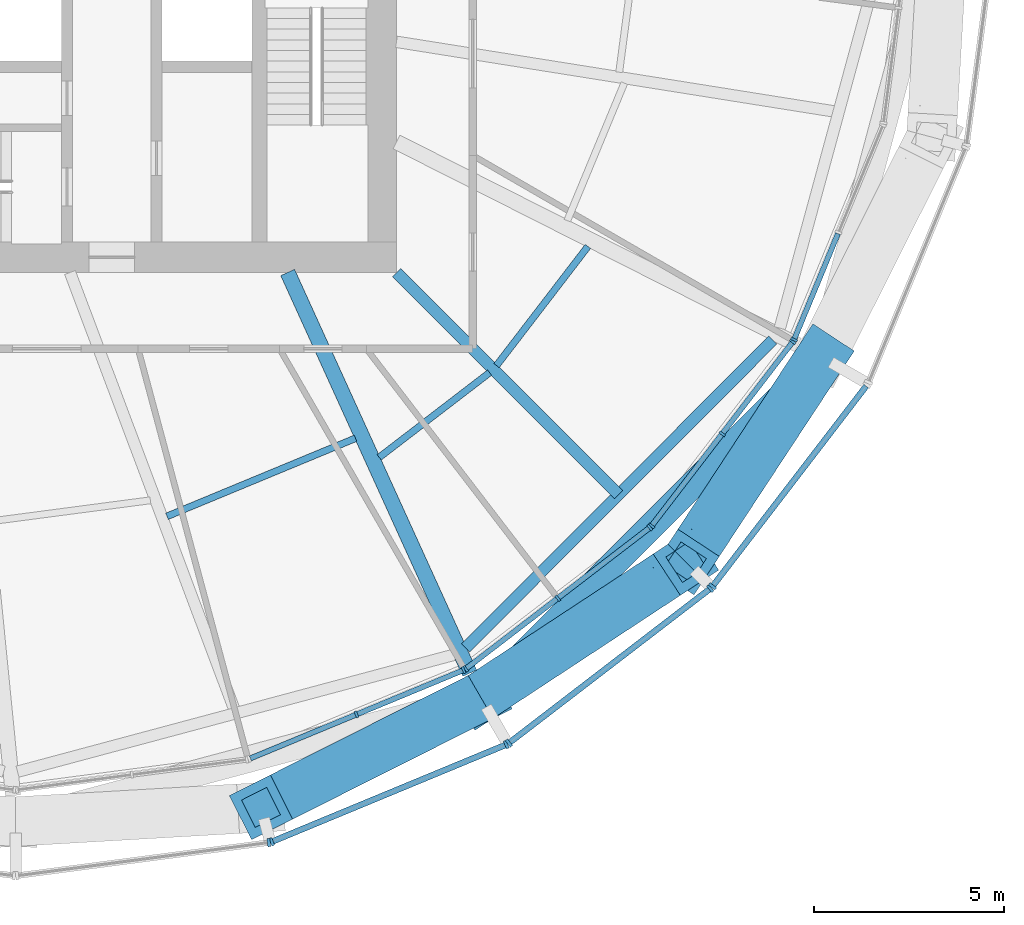
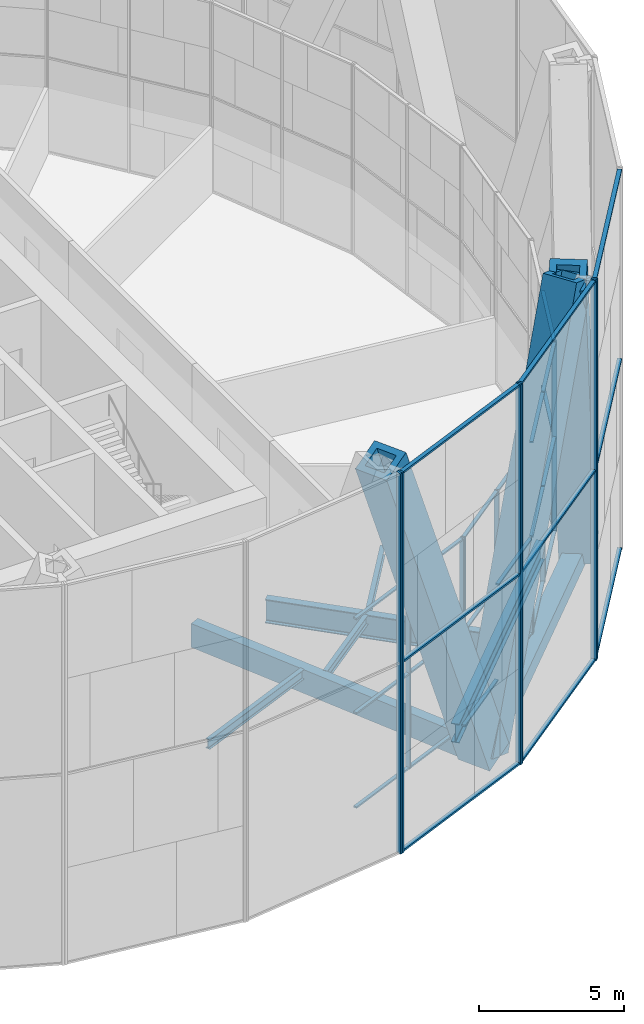
# One storey, part 4 of 22: 48 members, 7 beams, 8 elements without a shape of their own.
"""IFC4 building model written with IfcOpenShell, lengths in metres."""

from ifc_helpers import new_model, si_unit, direction, frame, origin, origin_2d, place, context, subcontext, project, spatial, rectangle, hollow_rectangle, i_section, extrude, material, material_profile, profile_set, type_object, element, aggregate, save


model = new_model("IFC4")

# Units and contexts
model_context = context("Model", 3, precision=1e-05, world=origin(), true_north=direction((0.0, 1.0)))
body_context = subcontext(model_context, "Body", "Model", "MODEL_VIEW")
ifc_project = project(units=[si_unit("LENGTHUNIT", "METRE"), si_unit("AREAUNIT", "SQUARE_METRE"), si_unit("VOLUMEUNIT", "CUBIC_METRE"), si_unit("PLANEANGLEUNIT", "RADIAN"), si_unit("MASSUNIT", "GRAM", prefix="KILO")], contexts=[model_context])

# Site, building, storey
site_placement = place(None, origin())
site = spatial("IfcSite", under=ifc_project, at=site_placement, CompositionType="ELEMENT")
building_placement = place(site_placement, origin())
building = spatial("IfcBuilding", under=site, at=building_placement, Name="Golbaran Civic Tower", CompositionType="ELEMENT")
storey_placement = place(building_placement, frame((0.0, 0.0, 53.0)))
storey = spatial("IfcBuildingStorey", under=building, at=storey_placement, Name="L12", CompositionType="ELEMENT", Elevation=53.0)

# Members
ifc_material_1 = material(Name="Steel S355", Category="steel")
ifc_material_profile_1 = material_profile(ifc_material_1, hollow_rectangle(XDim=1.300048828125, YDim=1.300048828125, WallThickness=0.25, at=origin_2d()), Name="BOX 1300x1300x250")
ifc_profile_set_1 = profile_set([ifc_material_profile_1], Name="Steel S355")
member_type_1 = type_object("IfcMemberType", Name="DIAGRID DIAGONAL BOX 1300x1300x250", PredefinedType="BRACE", material=ifc_profile_set_1)
for number, where, z_axis, x_axis, name in (
    (1, (12.2080078125, -21.144775390625, -0.7099609375), (0.312571904213, 0.205433100936, 0.927413632494), (-0.549231486835, 0.835670254268, 0.0), "Diagonal D02-10R L12-L16"),
    (2, (12.2080078125, -21.144775390625, -0.7099609375), (-0.334194514401, -0.167988782201, 0.927412419368), (0.449119378723, -0.893471758734, 0.0), "Diagonal D02-10L L12-L16"),
    (3, (21.144775390625, -12.2080078125, -0.7099609375), (-0.205433100936, -0.312571904213, 0.927413632494), (0.835670254268, -0.549231486835, 0.0), "Diagonal D02-11L L12-L16"),
):
    element("IfcMember", number, at=place(storey_placement, frame(where, z_axis=z_axis, x_axis=x_axis)), inside=storey, type_object=member_type_1, Name=name, PredefinedType="BRACE", context=body_context, shape_type="SweptSolid", body=[
        extrude(hollow_rectangle(XDim=1.300048828125, YDim=1.300048828125, WallThickness=0.25, at=origin_2d()), origin(), (0.0, 0.0, 1.0), 17.252197265625),
    ])

# Beams
ifc_material_profile_2 = material_profile(ifc_material_1, hollow_rectangle(XDim=0.699951171875, YDim=0.699951171875, WallThickness=0.080078125, at=origin_2d()), Name="BOX 700x700x80")
ifc_profile_set_2 = profile_set([ifc_material_profile_2], Name="Steel S355")
beam_type_1 = type_object("IfcBeamType", Name="DIAGRID RING TIE BOX 700x700x80", PredefinedType="BEAM", material=ifc_profile_set_2)
beam_1_placement = place(storey_placement, frame((12.2080078125, -21.144775390625, -0.7099609375), z_axis=(0.707106781187, 0.707106781187, 0.0), x_axis=(-0.707106781187, 0.707106781187, 0.0)))
element("IfcBeam", 4, at=beam_1_placement, inside=storey, type_object=beam_type_1, Name="Ring tie 300.00 L12", PredefinedType="BEAM", context=body_context, shape_type="SweptSolid", body=[
    extrude(hollow_rectangle(XDim=0.699951171875, YDim=0.699951171875, WallThickness=0.080078125, at=origin_2d()), origin(), (0.0, 0.0, 1.0), 12.638427734375),
])
ifc_material_profile_3 = material_profile(ifc_material_1, i_section(OverallWidth=0.300048828125, OverallDepth=0.800048828125, WebThickness=0.017578125, FlangeThickness=0.032958984375, FilletRadius=0.030029296875, at=origin_2d()), Name="HEB 800")
ifc_profile_set_3 = profile_set([ifc_material_profile_3], Name="Steel S355")
beam_type_2 = type_object("IfcBeamType", Name="EDGE BEAM HEB 800", PredefinedType="BEAM", material=ifc_profile_set_3)
beam_2_placement = place(storey_placement, frame((11.81884765625, -19.853271484375, -0.60009765625), z_axis=(0.706293695852, 0.707918932647, 0.0), x_axis=(-0.707918932647, 0.706293695852, 0.0)))
element("IfcBeam", 5, at=beam_2_placement, inside=storey, type_object=beam_type_2, Name="Edge beam 300.00 L12", PredefinedType="BEAM", context=body_context, shape_type="SweptSolid", body=[
    extrude(i_section(OverallWidth=0.300048828125, OverallDepth=0.800048828125, WebThickness=0.017578125, FlangeThickness=0.032958984375, FilletRadius=0.030029296875, at=origin_2d()), origin(), (0.0, 0.0, 1.0), 11.41650390625),
])
ifc_material_profile_4 = material_profile(ifc_material_1, i_section(OverallWidth=0.179931640625, OverallDepth=0.39990234375, WebThickness=0.008544921875, FlangeThickness=0.013427734375, FilletRadius=0.02099609375, at=origin_2d()), Name="IPE 400")
ifc_profile_set_4 = profile_set([ifc_material_profile_4], Name="Steel S355")
beam_type_3 = type_object("IfcBeamType", Name="FLOOR INFILL BEAM IPE 400", PredefinedType="BEAM", material=ifc_profile_set_4)
beam_3_placement = place(storey_placement, frame((3.974853515625, -16.401611328125, -0.39990234375), z_axis=(0.923884052743, 0.382672519379, 0.0), x_axis=(-0.382672519379, 0.923884052743, 0.0)))
element("IfcBeam", 6, at=beam_3_placement, inside=storey, type_object=beam_type_3, Name="Infill beam 292.50 L12", PredefinedType="BEAM", context=body_context, shape_type="SweptSolid", body=[
    extrude(i_section(OverallWidth=0.179931640625, OverallDepth=0.39990234375, WebThickness=0.008544921875, FlangeThickness=0.013427734375, FilletRadius=0.02099609375, at=origin_2d()), origin(), (0.0, 0.0, 1.0), 5.35595703125),
])
beam_4_placement = place(storey_placement, frame((9.546142578125, -14.853271484375, -0.39990234375), z_axis=(0.79336110597, 0.608751308446, 0.0), x_axis=(-0.608751308446, 0.79336110597, 0.0)))
element("IfcBeam", 7, at=beam_4_placement, inside=storey, type_object=beam_type_3, Name="Infill beam 307.50 L12", PredefinedType="BEAM", context=body_context, shape_type="SweptSolid", body=[
    extrude(i_section(OverallWidth=0.179931640625, OverallDepth=0.39990234375, WebThickness=0.008544921875, FlangeThickness=0.013427734375, FilletRadius=0.02099609375, at=origin_2d()), origin(), (0.0, 0.0, 1.0), 3.654052734375),
])
beam_5_placement = place(storey_placement, frame((12.62646484375, -12.442626953125, -0.39990234375), z_axis=(0.608743547424, 0.793367060993, 0.0), x_axis=(-0.793367060993, 0.608743547424, 0.0)))
element("IfcBeam", 8, at=beam_5_placement, inside=storey, type_object=beam_type_3, Name="Infill beam 322.50 L12", PredefinedType="BEAM", context=body_context, shape_type="SweptSolid", body=[
    extrude(i_section(OverallWidth=0.179931640625, OverallDepth=0.39990234375, WebThickness=0.008544921875, FlangeThickness=0.013427734375, FilletRadius=0.02099609375, at=origin_2d()), origin(), (0.0, 0.0, 1.0), 3.94189453125),
])

# Curtain wall, members
ifc_material_2 = material(Name="Aluminium and glass", Category="aluminium")
curtain_wall_type_1 = type_object("IfcCurtainWallType", Name="INNER SKIN CURTAIN WALL", PredefinedType="NOTDEFINED", material=ifc_material_2)
curtain_wall_1_placement = place(storey_placement, origin())
curtain_wall_1 = element("IfcCurtainWall", 9, at=curtain_wall_1_placement, inside=storey, type_object=curtain_wall_type_1, Name="Inner skin L12 facet 20 CW1", ObjectType="INNER SKIN", PredefinedType="USERDEFINED")
ifc_material_3 = material(Name="Aluminium", Category="aluminium")
ifc_material_profile_5 = material_profile(ifc_material_3, rectangle(XDim=0.179931640625, YDim=0.06494140625, at=origin_2d()), Name="INNER SKIN CURTAIN WALL MULLION")
ifc_profile_set_5 = profile_set([ifc_material_profile_5], Name="Aluminium")
member_type_2 = type_object("IfcMemberType", Name="INNER SKIN CURTAIN WALL MULLION", PredefinedType="MULLION", material=ifc_profile_set_5)
member_1_placement = place(storey_placement, frame((8.948486328125, -21.603271484375, 0.0), z_axis=(0.0, 0.0, 1.0), x_axis=(-0.382683432413, 0.923879532491, 0.0)))
member_1 = element("IfcMember", 10, at=member_1_placement, type_object=member_type_2, Name="CW1 mullion 2", PredefinedType="MULLION", context=body_context, shape_type="SweptSolid", body=[
    extrude(rectangle(XDim=0.179931640625, YDim=0.06494140625, at=origin_2d()), origin(), (0.0, 0.0, 1.0), 8.0),
])
member_2_placement = place(storey_placement, frame((11.762451171875, -20.437744140625, 0.0), z_axis=(0.0, 0.0, 1.0), x_axis=(-0.382683432413, 0.923879532491, 0.0)))
member_2 = element("IfcMember", 11, at=member_2_placement, type_object=member_type_2, Name="CW1 mullion 3", PredefinedType="MULLION", context=body_context, shape_type="SweptSolid", body=[
    extrude(rectangle(XDim=0.179931640625, YDim=0.06494140625, at=origin_2d()), origin(), (0.0, 0.0, 1.0), 8.0),
])

curtain_wall_2_placement = place(storey_placement, origin())
curtain_wall_2 = element("IfcCurtainWall", 12, at=curtain_wall_2_placement, inside=storey, type_object=curtain_wall_type_1, Name="Inner skin L12 facet 21 CW1", ObjectType="INNER SKIN", PredefinedType="USERDEFINED")
member_3_placement = place(storey_placement, frame((11.818359375, -20.405517578125, 0.0), z_axis=(0.0, 0.0, 1.0), x_axis=(-0.608761429036, 0.79335334027, 0.0)))
member_3 = element("IfcMember", 13, at=member_3_placement, type_object=member_type_2, Name="CW1 mullion 1", PredefinedType="MULLION", context=body_context, shape_type="SweptSolid", body=[
    extrude(rectangle(XDim=0.179931640625, YDim=0.06494140625, at=origin_2d()), origin(), (0.0, 0.0, 1.0), 8.0),
])
member_4_placement = place(storey_placement, frame((14.23486328125, -18.55126953125, 0.0), z_axis=(0.0, 0.0, 1.0), x_axis=(-0.608761429036, 0.79335334027, 0.0)))
member_4 = element("IfcMember", 14, at=member_4_placement, type_object=member_type_2, Name="CW1 mullion 2", PredefinedType="MULLION", context=body_context, shape_type="SweptSolid", body=[
    extrude(rectangle(XDim=0.179931640625, YDim=0.06494140625, at=origin_2d()), origin(), (0.0, 0.0, 1.0), 8.0),
])
member_5_placement = place(storey_placement, frame((16.6513671875, -16.69677734375, 0.0), z_axis=(0.0, 0.0, 1.0), x_axis=(-0.608761429036, 0.79335334027, 0.0)))
member_5 = element("IfcMember", 15, at=member_5_placement, type_object=member_type_2, Name="CW1 mullion 3", PredefinedType="MULLION", context=body_context, shape_type="SweptSolid", body=[
    extrude(rectangle(XDim=0.179931640625, YDim=0.06494140625, at=origin_2d()), origin(), (0.0, 0.0, 1.0), 8.0),
])

curtain_wall_3_placement = place(storey_placement, origin())
curtain_wall_3 = element("IfcCurtainWall", 16, at=curtain_wall_3_placement, inside=storey, type_object=curtain_wall_type_1, Name="Inner skin L12 facet 22 CW1", ObjectType="INNER SKIN", PredefinedType="USERDEFINED")
member_6_placement = place(storey_placement, frame((16.69677734375, -16.6513671875, 0.0), z_axis=(0.0, 0.0, 1.0), x_axis=(-0.79335334027, 0.608761429036, 0.0)))
member_6 = element("IfcMember", 17, at=member_6_placement, type_object=member_type_2, Name="CW1 mullion 1", PredefinedType="MULLION", context=body_context, shape_type="SweptSolid", body=[
    extrude(rectangle(XDim=0.179931640625, YDim=0.06494140625, at=origin_2d()), origin(), (0.0, 0.0, 1.0), 8.0),
])
member_7_placement = place(storey_placement, frame((18.55126953125, -14.23486328125, 0.0), z_axis=(0.0, 0.0, 1.0), x_axis=(-0.79335334027, 0.608761429036, 0.0)))
member_7 = element("IfcMember", 18, at=member_7_placement, type_object=member_type_2, Name="CW1 mullion 2", PredefinedType="MULLION", context=body_context, shape_type="SweptSolid", body=[
    extrude(rectangle(XDim=0.179931640625, YDim=0.06494140625, at=origin_2d()), origin(), (0.0, 0.0, 1.0), 8.0),
])
member_8_placement = place(storey_placement, frame((20.405517578125, -11.818359375, 0.0), z_axis=(0.0, 0.0, 1.0), x_axis=(-0.79335334027, 0.608761429036, 0.0)))
member_8 = element("IfcMember", 19, at=member_8_placement, type_object=member_type_2, Name="CW1 mullion 3", PredefinedType="MULLION", context=body_context, shape_type="SweptSolid", body=[
    extrude(rectangle(XDim=0.179931640625, YDim=0.06494140625, at=origin_2d()), origin(), (0.0, 0.0, 1.0), 8.0),
])

# Curtain wall, member
curtain_wall_4_placement = place(storey_placement, origin())
curtain_wall_4 = element("IfcCurtainWall", 20, at=curtain_wall_4_placement, inside=storey, type_object=curtain_wall_type_1, Name="Inner skin L12 facet 23 CW1", ObjectType="INNER SKIN", PredefinedType="USERDEFINED")
member_9_placement = place(storey_placement, frame((20.437744140625, -11.762451171875, 0.0), z_axis=(0.0, 0.0, 1.0), x_axis=(-0.923879532491, 0.382683432413, 0.0)))
member_9 = element("IfcMember", 21, at=member_9_placement, type_object=member_type_2, Name="CW1 mullion 1", PredefinedType="MULLION", context=body_context, shape_type="SweptSolid", body=[
    extrude(rectangle(XDim=0.179931640625, YDim=0.06494140625, at=origin_2d()), origin(), (0.0, 0.0, 1.0), 8.0),
])

# Member
ifc_material_profile_6 = material_profile(ifc_material_3, rectangle(XDim=0.139892578125, YDim=0.06494140625, at=origin_2d()), Name="INNER SKIN CURTAIN WALL TRANSOM")
ifc_profile_set_6 = profile_set([ifc_material_profile_6], Name="Aluminium")
member_type_3 = type_object("IfcMemberType", Name="INNER SKIN CURTAIN WALL TRANSOM", PredefinedType="USERDEFINED", material=ifc_profile_set_6)
member_10_placement = place(storey_placement, frame((6.164306640625, -22.756591796875, 0.032470703125), z_axis=(0.923872096684, 0.382701383548, 0.0), x_axis=(-0.382701383548, 0.923872096684, 0.0)))
member_10 = element("IfcMember", 22, at=member_10_placement, type_object=member_type_3, Name="CW1 transom 1.1", ObjectType="TRANSOM", PredefinedType="USERDEFINED", context=body_context, shape_type="SweptSolid", body=[
    extrude(rectangle(XDim=0.139892578125, YDim=0.06494140625, at=origin_2d()), origin(), (0.0, 0.0, 1.0), 2.981201171875),
])

member_11_placement = place(storey_placement, frame((6.164306640625, -22.756591796875, 4.0), z_axis=(0.923872096684, 0.382701383548, 0.0), x_axis=(-0.382701383548, 0.923872096684, 0.0)))
member_11 = element("IfcMember", 23, at=member_11_placement, type_object=member_type_3, Name="CW1 transom 1.2", ObjectType="TRANSOM", PredefinedType="USERDEFINED", context=body_context, shape_type="SweptSolid", body=[
    extrude(rectangle(XDim=0.139892578125, YDim=0.06494140625, at=origin_2d()), origin(), (0.0, 0.0, 1.0), 2.981201171875),
])

member_12_placement = place(storey_placement, frame((6.164306640625, -22.756591796875, 7.967529296875), z_axis=(0.923872096684, 0.382701383548, 0.0), x_axis=(-0.382701383548, 0.923872096684, 0.0)))
member_12 = element("IfcMember", 24, at=member_12_placement, type_object=member_type_3, Name="CW1 transom 1.3", ObjectType="TRANSOM", PredefinedType="USERDEFINED", context=body_context, shape_type="SweptSolid", body=[
    extrude(rectangle(XDim=0.139892578125, YDim=0.06494140625, at=origin_2d()), origin(), (0.0, 0.0, 1.0), 2.981201171875),
])

member_13_placement = place(storey_placement, frame((8.978515625, -21.5908203125, 0.032470703125), z_axis=(0.923889058869, 0.382660432893, 0.0), x_axis=(-0.382660432893, 0.923889058869, 0.0)))
member_13 = element("IfcMember", 25, at=member_13_placement, type_object=member_type_3, Name="CW1 transom 2.1", ObjectType="TRANSOM", PredefinedType="USERDEFINED", context=body_context, shape_type="SweptSolid", body=[
    extrude(rectangle(XDim=0.139892578125, YDim=0.06494140625, at=origin_2d()), origin(), (0.0, 0.0, 1.0), 2.980712890625),
])

member_14_placement = place(storey_placement, frame((8.978515625, -21.5908203125, 4.0), z_axis=(0.923889058869, 0.382660432893, 0.0), x_axis=(-0.382660432893, 0.923889058869, 0.0)))
member_14 = element("IfcMember", 26, at=member_14_placement, type_object=member_type_3, Name="CW1 transom 2.2", ObjectType="TRANSOM", PredefinedType="USERDEFINED", context=body_context, shape_type="SweptSolid", body=[
    extrude(rectangle(XDim=0.139892578125, YDim=0.06494140625, at=origin_2d()), origin(), (0.0, 0.0, 1.0), 2.980712890625),
])

member_15_placement = place(storey_placement, frame((8.978515625, -21.5908203125, 7.967529296875), z_axis=(0.923889058869, 0.382660432893, 0.0), x_axis=(-0.382660432893, 0.923889058869, 0.0)))
member_15 = element("IfcMember", 27, at=member_15_placement, type_object=member_type_3, Name="CW1 transom 2.3", ObjectType="TRANSOM", PredefinedType="USERDEFINED", context=body_context, shape_type="SweptSolid", body=[
    extrude(rectangle(XDim=0.139892578125, YDim=0.06494140625, at=origin_2d()), origin(), (0.0, 0.0, 1.0), 2.980712890625),
])

aggregate(curtain_wall_1, [member_1, member_2, member_10, member_11, member_12, member_13, member_14, member_15])

member_16_placement = place(storey_placement, frame((11.843994140625, -20.3857421875, 0.032470703125), z_axis=(0.793357158549, 0.608756452926, 0.0), x_axis=(-0.608756452926, 0.793357158549, 0.0)))
member_16 = element("IfcMember", 28, at=member_16_placement, type_object=member_type_3, Name="CW1 transom 1.1", ObjectType="TRANSOM", PredefinedType="USERDEFINED", context=body_context, shape_type="SweptSolid", body=[
    extrude(rectangle(XDim=0.139892578125, YDim=0.06494140625, at=origin_2d()), origin(), (0.0, 0.0, 1.0), 2.98095703125),
])

member_17_placement = place(storey_placement, frame((11.843994140625, -20.3857421875, 4.0), z_axis=(0.793357158549, 0.608756452926, 0.0), x_axis=(-0.608756452926, 0.793357158549, 0.0)))
member_17 = element("IfcMember", 29, at=member_17_placement, type_object=member_type_3, Name="CW1 transom 1.2", ObjectType="TRANSOM", PredefinedType="USERDEFINED", context=body_context, shape_type="SweptSolid", body=[
    extrude(rectangle(XDim=0.139892578125, YDim=0.06494140625, at=origin_2d()), origin(), (0.0, 0.0, 1.0), 2.98095703125),
])

member_18_placement = place(storey_placement, frame((11.843994140625, -20.3857421875, 7.967529296875), z_axis=(0.793357158549, 0.608756452926, 0.0), x_axis=(-0.608756452926, 0.793357158549, 0.0)))
member_18 = element("IfcMember", 30, at=member_18_placement, type_object=member_type_3, Name="CW1 transom 1.3", ObjectType="TRANSOM", PredefinedType="USERDEFINED", context=body_context, shape_type="SweptSolid", body=[
    extrude(rectangle(XDim=0.139892578125, YDim=0.06494140625, at=origin_2d()), origin(), (0.0, 0.0, 1.0), 2.98095703125),
])

member_19_placement = place(storey_placement, frame((14.260498046875, -18.531494140625, 0.032470703125), z_axis=(0.793357158549, 0.608756452926, 0.0), x_axis=(-0.608756452926, 0.793357158549, 0.0)))
member_19 = element("IfcMember", 31, at=member_19_placement, type_object=member_type_3, Name="CW1 transom 2.1", ObjectType="TRANSOM", PredefinedType="USERDEFINED", context=body_context, shape_type="SweptSolid", body=[
    extrude(rectangle(XDim=0.139892578125, YDim=0.06494140625, at=origin_2d()), origin(), (0.0, 0.0, 1.0), 2.98095703125),
])

member_20_placement = place(storey_placement, frame((14.260498046875, -18.531494140625, 4.0), z_axis=(0.793357158549, 0.608756452926, 0.0), x_axis=(-0.608756452926, 0.793357158549, 0.0)))
member_20 = element("IfcMember", 32, at=member_20_placement, type_object=member_type_3, Name="CW1 transom 2.2", ObjectType="TRANSOM", PredefinedType="USERDEFINED", context=body_context, shape_type="SweptSolid", body=[
    extrude(rectangle(XDim=0.139892578125, YDim=0.06494140625, at=origin_2d()), origin(), (0.0, 0.0, 1.0), 2.98095703125),
])

member_21_placement = place(storey_placement, frame((14.260498046875, -18.531494140625, 7.967529296875), z_axis=(0.793357158549, 0.608756452926, 0.0), x_axis=(-0.608756452926, 0.793357158549, 0.0)))
member_21 = element("IfcMember", 33, at=member_21_placement, type_object=member_type_3, Name="CW1 transom 2.3", ObjectType="TRANSOM", PredefinedType="USERDEFINED", context=body_context, shape_type="SweptSolid", body=[
    extrude(rectangle(XDim=0.139892578125, YDim=0.06494140625, at=origin_2d()), origin(), (0.0, 0.0, 1.0), 2.98095703125),
])

aggregate(curtain_wall_2, [member_3, member_4, member_5, member_16, member_17, member_18, member_19, member_20, member_21])

member_22_placement = place(storey_placement, frame((16.716796875, -16.62548828125, 0.032470703125), z_axis=(0.608756452926, 0.793357158549, 0.0), x_axis=(-0.793357158549, 0.608756452926, 0.0)))
member_22 = element("IfcMember", 34, at=member_22_placement, type_object=member_type_3, Name="CW1 transom 1.1", ObjectType="TRANSOM", PredefinedType="USERDEFINED", context=body_context, shape_type="SweptSolid", body=[
    extrude(rectangle(XDim=0.139892578125, YDim=0.06494140625, at=origin_2d()), origin(), (0.0, 0.0, 1.0), 2.98095703125),
])

member_23_placement = place(storey_placement, frame((16.716796875, -16.62548828125, 4.0), z_axis=(0.608756452926, 0.793357158549, 0.0), x_axis=(-0.793357158549, 0.608756452926, 0.0)))
member_23 = element("IfcMember", 35, at=member_23_placement, type_object=member_type_3, Name="CW1 transom 1.2", ObjectType="TRANSOM", PredefinedType="USERDEFINED", context=body_context, shape_type="SweptSolid", body=[
    extrude(rectangle(XDim=0.139892578125, YDim=0.06494140625, at=origin_2d()), origin(), (0.0, 0.0, 1.0), 2.98095703125),
])

member_24_placement = place(storey_placement, frame((16.716796875, -16.62548828125, 7.967529296875), z_axis=(0.608756452926, 0.793357158549, 0.0), x_axis=(-0.793357158549, 0.608756452926, 0.0)))
member_24 = element("IfcMember", 36, at=member_24_placement, type_object=member_type_3, Name="CW1 transom 1.3", ObjectType="TRANSOM", PredefinedType="USERDEFINED", context=body_context, shape_type="SweptSolid", body=[
    extrude(rectangle(XDim=0.139892578125, YDim=0.06494140625, at=origin_2d()), origin(), (0.0, 0.0, 1.0), 2.98095703125),
])

member_25_placement = place(storey_placement, frame((18.571044921875, -14.208984375, 0.032470703125), z_axis=(0.608756452926, 0.793357158549, 0.0), x_axis=(-0.793357158549, 0.608756452926, 0.0)))
member_25 = element("IfcMember", 37, at=member_25_placement, type_object=member_type_3, Name="CW1 transom 2.1", ObjectType="TRANSOM", PredefinedType="USERDEFINED", context=body_context, shape_type="SweptSolid", body=[
    extrude(rectangle(XDim=0.139892578125, YDim=0.06494140625, at=origin_2d()), origin(), (0.0, 0.0, 1.0), 2.98095703125),
])

member_26_placement = place(storey_placement, frame((18.571044921875, -14.208984375, 4.0), z_axis=(0.608756452926, 0.793357158549, 0.0), x_axis=(-0.793357158549, 0.608756452926, 0.0)))
member_26 = element("IfcMember", 38, at=member_26_placement, type_object=member_type_3, Name="CW1 transom 2.2", ObjectType="TRANSOM", PredefinedType="USERDEFINED", context=body_context, shape_type="SweptSolid", body=[
    extrude(rectangle(XDim=0.139892578125, YDim=0.06494140625, at=origin_2d()), origin(), (0.0, 0.0, 1.0), 2.98095703125),
])

member_27_placement = place(storey_placement, frame((18.571044921875, -14.208984375, 7.967529296875), z_axis=(0.608756452926, 0.793357158549, 0.0), x_axis=(-0.793357158549, 0.608756452926, 0.0)))
member_27 = element("IfcMember", 39, at=member_27_placement, type_object=member_type_3, Name="CW1 transom 2.3", ObjectType="TRANSOM", PredefinedType="USERDEFINED", context=body_context, shape_type="SweptSolid", body=[
    extrude(rectangle(XDim=0.139892578125, YDim=0.06494140625, at=origin_2d()), origin(), (0.0, 0.0, 1.0), 2.98095703125),
])

aggregate(curtain_wall_3, [member_6, member_7, member_8, member_22, member_23, member_24, member_25, member_26, member_27])

member_28_placement = place(storey_placement, frame((20.4501953125, -11.732421875, 0.032470703125), z_axis=(0.382660432893, 0.923889058869, 0.0), x_axis=(-0.923889058869, 0.382660432893, 0.0)))
member_28 = element("IfcMember", 40, at=member_28_placement, type_object=member_type_3, Name="CW1 transom 1.1", ObjectType="TRANSOM", PredefinedType="USERDEFINED", context=body_context, shape_type="SweptSolid", body=[
    extrude(rectangle(XDim=0.139892578125, YDim=0.06494140625, at=origin_2d()), origin(), (0.0, 0.0, 1.0), 2.980712890625),
])

member_29_placement = place(storey_placement, frame((20.4501953125, -11.732421875, 4.0), z_axis=(0.382660432893, 0.923889058869, 0.0), x_axis=(-0.923889058869, 0.382660432893, 0.0)))
member_29 = element("IfcMember", 41, at=member_29_placement, type_object=member_type_3, Name="CW1 transom 1.2", ObjectType="TRANSOM", PredefinedType="USERDEFINED", context=body_context, shape_type="SweptSolid", body=[
    extrude(rectangle(XDim=0.139892578125, YDim=0.06494140625, at=origin_2d()), origin(), (0.0, 0.0, 1.0), 2.980712890625),
])

member_30_placement = place(storey_placement, frame((20.4501953125, -11.732421875, 7.967529296875), z_axis=(0.382660432893, 0.923889058869, 0.0), x_axis=(-0.923889058869, 0.382660432893, 0.0)))
member_30 = element("IfcMember", 42, at=member_30_placement, type_object=member_type_3, Name="CW1 transom 1.3", ObjectType="TRANSOM", PredefinedType="USERDEFINED", context=body_context, shape_type="SweptSolid", body=[
    extrude(rectangle(XDim=0.139892578125, YDim=0.06494140625, at=origin_2d()), origin(), (0.0, 0.0, 1.0), 2.980712890625),
])

aggregate(curtain_wall_4, [member_9, member_28, member_29, member_30])

# Curtain wall, member
curtain_wall_type_2 = type_object("IfcCurtainWallType", Name="OUTER SKIN TERRACOTTA SCREEN", PredefinedType="NOTDEFINED", material=ifc_material_2)
curtain_wall_5_placement = place(storey_placement, origin())
curtain_wall_5 = element("IfcCurtainWall", 43, at=curtain_wall_5_placement, inside=storey, type_object=curtain_wall_type_2, Name="Outer skin L12 facet 19 CW3", ObjectType="OUTER SKIN", PredefinedType="USERDEFINED")
ifc_material_profile_7 = material_profile(ifc_material_3, rectangle(XDim=0.219970703125, YDim=0.080078125, at=origin_2d()), Name="OUTER SKIN TERRACOTTA SCREEN MULLION")
ifc_profile_set_7 = profile_set([ifc_material_profile_7], Name="Aluminium")
member_type_4 = type_object("IfcMemberType", Name="OUTER SKIN TERRACOTTA SCREEN MULLION", PredefinedType="MULLION", material=ifc_profile_set_7)
member_31_placement = place(storey_placement, frame((6.6484375, -24.9658203125, -0.7099609375), z_axis=(0.0, 0.0, 1.0), x_axis=(-0.130526192255, 0.991444861369, 0.0)))
member_31 = element("IfcMember", 44, at=member_31_placement, type_object=member_type_4, Name="CW3 mullion 2", PredefinedType="MULLION", context=body_context, shape_type="SweptSolid", body=[
    extrude(rectangle(XDim=0.219970703125, YDim=0.080078125, at=origin_2d()), origin(), (0.0, 0.0, 1.0), 16.0),
])
aggregate(curtain_wall_5, [member_31])

# Curtain wall, members
curtain_wall_6_placement = place(storey_placement, origin())
curtain_wall_6 = element("IfcCurtainWall", 45, at=curtain_wall_6_placement, inside=storey, type_object=curtain_wall_type_2, Name="Outer skin L12 facet 20 CW3", ObjectType="OUTER SKIN", PredefinedType="USERDEFINED")
member_32_placement = place(storey_placement, frame((6.72509765625, -24.945068359375, -0.7099609375), z_axis=(0.0, 0.0, 1.0), x_axis=(-0.382683432349, 0.923879532518, 0.0)))
member_32 = element("IfcMember", 46, at=member_32_placement, type_object=member_type_4, Name="CW3 mullion 1", PredefinedType="MULLION", context=body_context, shape_type="SweptSolid", body=[
    extrude(rectangle(XDim=0.219970703125, YDim=0.080078125, at=origin_2d()), origin(), (0.0, 0.0, 1.0), 16.0),
])
member_33_placement = place(storey_placement, frame((12.883544921875, -22.394287109375, -0.7099609375), z_axis=(0.0, 0.0, 1.0), x_axis=(-0.382683432349, 0.923879532518, 0.0)))
member_33 = element("IfcMember", 47, at=member_33_placement, type_object=member_type_4, Name="CW3 mullion 2", PredefinedType="MULLION", context=body_context, shape_type="SweptSolid", body=[
    extrude(rectangle(XDim=0.219970703125, YDim=0.080078125, at=origin_2d()), origin(), (0.0, 0.0, 1.0), 16.0),
])

curtain_wall_7_placement = place(storey_placement, origin())
curtain_wall_7 = element("IfcCurtainWall", 48, at=curtain_wall_7_placement, inside=storey, type_object=curtain_wall_type_2, Name="Outer skin L12 facet 21 CW3", ObjectType="OUTER SKIN", PredefinedType="USERDEFINED")
member_34_placement = place(storey_placement, frame((12.9521484375, -22.3544921875, -0.7099609375), z_axis=(0.0, 0.0, 1.0), x_axis=(-0.608761428926, 0.793353340355, 0.0)))
member_34 = element("IfcMember", 49, at=member_34_placement, type_object=member_type_4, Name="CW3 mullion 1", PredefinedType="MULLION", context=body_context, shape_type="SweptSolid", body=[
    extrude(rectangle(XDim=0.219970703125, YDim=0.080078125, at=origin_2d()), origin(), (0.0, 0.0, 1.0), 16.0),
])
member_35_placement = place(storey_placement, frame((18.24072265625, -18.296630859375, -0.7099609375), z_axis=(0.0, 0.0, 1.0), x_axis=(-0.608761428926, 0.793353340355, 0.0)))
member_35 = element("IfcMember", 50, at=member_35_placement, type_object=member_type_4, Name="CW3 mullion 2", PredefinedType="MULLION", context=body_context, shape_type="SweptSolid", body=[
    extrude(rectangle(XDim=0.219970703125, YDim=0.080078125, at=origin_2d()), origin(), (0.0, 0.0, 1.0), 16.0),
])

# Curtain wall, member
curtain_wall_8_placement = place(storey_placement, origin())
curtain_wall_8 = element("IfcCurtainWall", 51, at=curtain_wall_8_placement, inside=storey, type_object=curtain_wall_type_2, Name="Outer skin L12 facet 22 CW3", ObjectType="OUTER SKIN", PredefinedType="USERDEFINED")
member_36_placement = place(storey_placement, frame((18.296630859375, -18.24072265625, -0.7099609375), z_axis=(0.0, 0.0, 1.0), x_axis=(-0.793353340355, 0.608761428926, 0.0)))
member_36 = element("IfcMember", 52, at=member_36_placement, type_object=member_type_4, Name="CW3 mullion 1", PredefinedType="MULLION", context=body_context, shape_type="SweptSolid", body=[
    extrude(rectangle(XDim=0.219970703125, YDim=0.080078125, at=origin_2d()), origin(), (0.0, 0.0, 1.0), 16.0),
])

# Member
ifc_material_profile_8 = material_profile(ifc_material_3, rectangle(XDim=0.159912109375, YDim=0.080078125, at=origin_2d()), Name="OUTER SKIN TERRACOTTA SCREEN TRANSOM")
ifc_profile_set_8 = profile_set([ifc_material_profile_8], Name="Aluminium")
member_type_5 = type_object("IfcMemberType", Name="OUTER SKIN TERRACOTTA SCREEN TRANSOM", PredefinedType="USERDEFINED", material=ifc_profile_set_8)
member_37_placement = place(storey_placement, frame((6.761962890625, -24.929931640625, -0.669921875), z_axis=(0.923885359564, 0.382669364313, 0.0), x_axis=(-0.382669364313, 0.923885359564, 0.0)))
member_37 = element("IfcMember", 53, at=member_37_placement, type_object=member_type_5, Name="CW3 transom 1.1", ObjectType="TRANSOM", PredefinedType="USERDEFINED", context=body_context, shape_type="SweptSolid", body=[
    extrude(rectangle(XDim=0.159912109375, YDim=0.080078125, at=origin_2d()), origin(), (0.0, 0.0, 1.0), 6.5859375),
])

member_38_placement = place(storey_placement, frame((6.761962890625, -24.929931640625, 7.2900390625), z_axis=(0.923885359564, 0.382669364313, 0.0), x_axis=(-0.382669364313, 0.923885359564, 0.0)))
member_38 = element("IfcMember", 54, at=member_38_placement, type_object=member_type_5, Name="CW3 transom 1.2", ObjectType="TRANSOM", PredefinedType="USERDEFINED", context=body_context, shape_type="SweptSolid", body=[
    extrude(rectangle(XDim=0.159912109375, YDim=0.080078125, at=origin_2d()), origin(), (0.0, 0.0, 1.0), 6.5859375),
])

member_39_placement = place(storey_placement, frame((6.761962890625, -24.929931640625, 15.25), z_axis=(0.923885359564, 0.382669364313, 0.0), x_axis=(-0.382669364313, 0.923885359564, 0.0)))
member_39 = element("IfcMember", 55, at=member_39_placement, type_object=member_type_5, Name="CW3 transom 1.3", ObjectType="TRANSOM", PredefinedType="USERDEFINED", context=body_context, shape_type="SweptSolid", body=[
    extrude(rectangle(XDim=0.159912109375, YDim=0.080078125, at=origin_2d()), origin(), (0.0, 0.0, 1.0), 6.5859375),
])

aggregate(curtain_wall_6, [member_32, member_33, member_37, member_38, member_39])

member_40_placement = place(storey_placement, frame((12.98388671875, -22.330322265625, -0.669921875), z_axis=(0.79335928762, 0.608753678221, 0.0), x_axis=(-0.608753678221, 0.79335928762, 0.0)))
member_40 = element("IfcMember", 56, at=member_40_placement, type_object=member_type_5, Name="CW3 transom 1.1", ObjectType="TRANSOM", PredefinedType="USERDEFINED", context=body_context, shape_type="SweptSolid", body=[
    extrude(rectangle(XDim=0.159912109375, YDim=0.080078125, at=origin_2d()), origin(), (0.0, 0.0, 1.0), 6.5859375),
])

member_41_placement = place(storey_placement, frame((12.98388671875, -22.330322265625, 7.2900390625), z_axis=(0.79335928762, 0.608753678221, 0.0), x_axis=(-0.608753678221, 0.79335928762, 0.0)))
member_41 = element("IfcMember", 57, at=member_41_placement, type_object=member_type_5, Name="CW3 transom 1.2", ObjectType="TRANSOM", PredefinedType="USERDEFINED", context=body_context, shape_type="SweptSolid", body=[
    extrude(rectangle(XDim=0.159912109375, YDim=0.080078125, at=origin_2d()), origin(), (0.0, 0.0, 1.0), 6.5859375),
])

member_42_placement = place(storey_placement, frame((12.98388671875, -22.330322265625, 15.25), z_axis=(0.79335928762, 0.608753678221, 0.0), x_axis=(-0.608753678221, 0.79335928762, 0.0)))
member_42 = element("IfcMember", 58, at=member_42_placement, type_object=member_type_5, Name="CW3 transom 1.3", ObjectType="TRANSOM", PredefinedType="USERDEFINED", context=body_context, shape_type="SweptSolid", body=[
    extrude(rectangle(XDim=0.159912109375, YDim=0.080078125, at=origin_2d()), origin(), (0.0, 0.0, 1.0), 6.5859375),
])

aggregate(curtain_wall_7, [member_34, member_35, member_40, member_41, member_42])

member_43_placement = place(storey_placement, frame((18.321044921875, -18.208984375, -0.669921875), z_axis=(0.608753678221, 0.79335928762, 0.0), x_axis=(-0.79335928762, 0.608753678221, 0.0)))
member_43 = element("IfcMember", 59, at=member_43_placement, type_object=member_type_5, Name="CW3 transom 1.1", ObjectType="TRANSOM", PredefinedType="USERDEFINED", context=body_context, shape_type="SweptSolid", body=[
    extrude(rectangle(XDim=0.159912109375, YDim=0.080078125, at=origin_2d()), origin(), (0.0, 0.0, 1.0), 6.5859375),
])

member_44_placement = place(storey_placement, frame((18.321044921875, -18.208984375, 7.2900390625), z_axis=(0.608753678221, 0.79335928762, 0.0), x_axis=(-0.79335928762, 0.608753678221, 0.0)))
member_44 = element("IfcMember", 60, at=member_44_placement, type_object=member_type_5, Name="CW3 transom 1.2", ObjectType="TRANSOM", PredefinedType="USERDEFINED", context=body_context, shape_type="SweptSolid", body=[
    extrude(rectangle(XDim=0.159912109375, YDim=0.080078125, at=origin_2d()), origin(), (0.0, 0.0, 1.0), 6.5859375),
])

member_45_placement = place(storey_placement, frame((18.321044921875, -18.208984375, 15.25), z_axis=(0.608753678221, 0.79335928762, 0.0), x_axis=(-0.79335928762, 0.608753678221, 0.0)))
member_45 = element("IfcMember", 61, at=member_45_placement, type_object=member_type_5, Name="CW3 transom 1.3", ObjectType="TRANSOM", PredefinedType="USERDEFINED", context=body_context, shape_type="SweptSolid", body=[
    extrude(rectangle(XDim=0.159912109375, YDim=0.080078125, at=origin_2d()), origin(), (0.0, 0.0, 1.0), 6.5859375),
])

aggregate(curtain_wall_8, [member_36, member_43, member_44, member_45])

# Beams
ifc_material_profile_9 = material_profile(ifc_material_1, hollow_rectangle(XDim=0.39990234375, YDim=1.0, WallThickness=0.0400390625, at=origin_2d()), Name="BOX 1000x400x40")
ifc_profile_set_9 = profile_set([ifc_material_profile_9], Name="Steel S355")
beam_type_4 = type_object("IfcBeamType", Name="RADIAL FLOOR BEAM BOX 1000x400x40", PredefinedType="BEAM", material=ifc_profile_set_9)
beam_6_placement = place(storey_placement, frame((7.142822265625, -10.0, -0.7099609375), z_axis=(0.413761557067, -0.910385288707, 0.0), x_axis=(0.910385288707, 0.413761557067, 0.0)))
element("IfcBeam", 62, at=beam_6_placement, inside=storey, type_object=beam_type_4, Name="Radial beam 300.00 L12", PredefinedType="BEAM", context=body_context, shape_type="SweptSolid", body=[
    extrude(hollow_rectangle(XDim=0.39990234375, YDim=1.0, WallThickness=0.0400390625, at=origin_2d()), origin(), (0.0, 0.0, 1.0), 11.5556640625),
])
ifc_material_profile_10 = material_profile(ifc_material_1, i_section(OverallWidth=0.300048828125, OverallDepth=1.0, WebThickness=0.01904296875, FlangeThickness=0.035888671875, FilletRadius=0.030029296875, at=origin_2d()), Name="HEB 1000")
ifc_profile_set_10 = profile_set([ifc_material_profile_10], Name="Steel S355")
beam_type_5 = type_object("IfcBeamType", Name="SECONDARY FLOOR BEAM HEB 1000", PredefinedType="BEAM", material=ifc_profile_set_10)
beam_7_placement = place(storey_placement, frame((10.0, -10.0, -0.7099609375), z_axis=(0.707106781187, -0.707106781187, 0.0), x_axis=(0.707106781187, 0.707106781187, 0.0)))
element("IfcBeam", 63, at=beam_7_placement, inside=storey, type_object=beam_type_5, Name="Secondary beam 315.00 L12", PredefinedType="BEAM", context=body_context, shape_type="SweptSolid", body=[
    extrude(i_section(OverallWidth=0.300048828125, OverallDepth=1.0, WebThickness=0.01904296875, FlangeThickness=0.035888671875, FilletRadius=0.030029296875, at=origin_2d()), origin(), (0.0, 0.0, 1.0), 8.2470703125),
])

save(model, "model.ifc")
